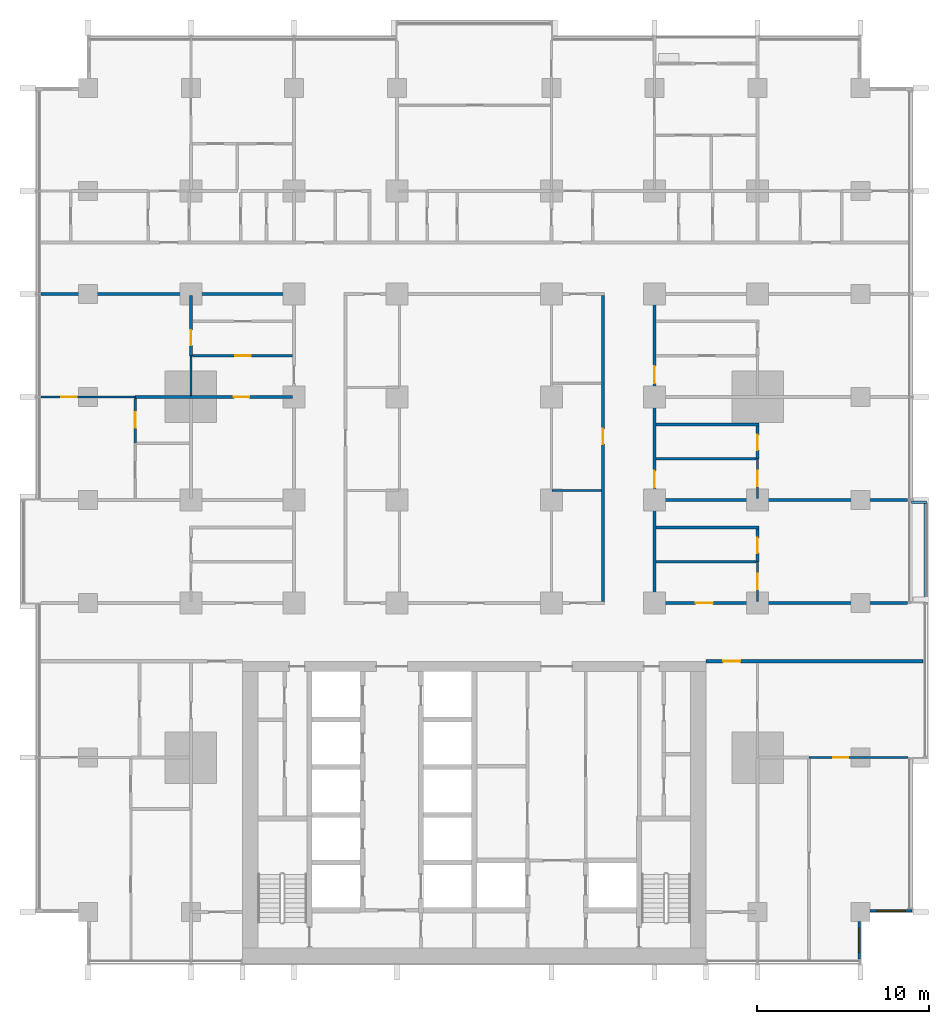
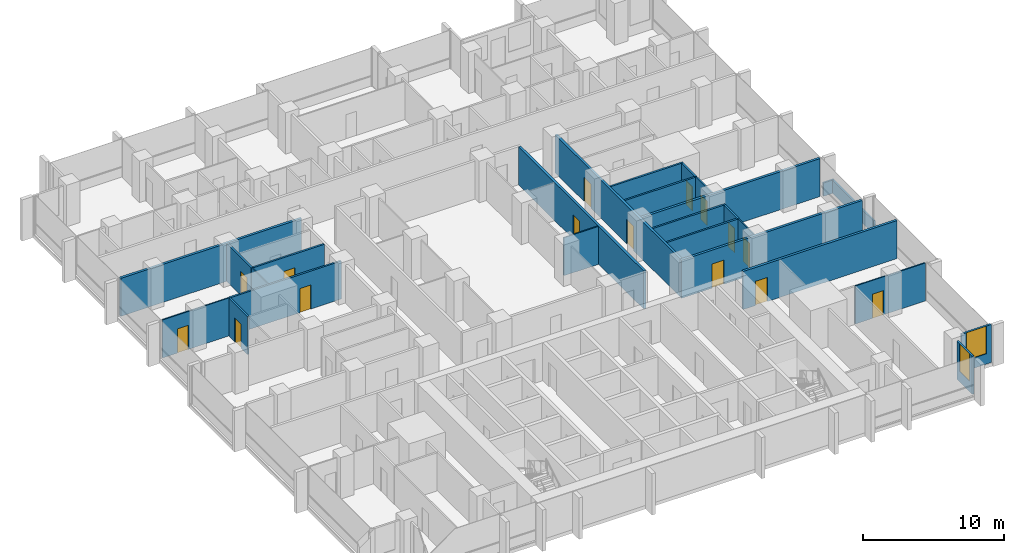
# One storey, part 10 of 18: 26 walls, 15 doors, 2 windows, 17 openings.
"""IFC4 building model written with IfcOpenShell, lengths in metres."""

from ifc_helpers import new_model, si_unit, direction, frame, frame_2d, origin, place, context, subcontext, project, spatial, rectangle, extrude, material, layer, layer_set, type_object, element, fill, save


model = new_model("IFC4")

# Units and contexts
model_context = context("Model", 3, precision=1e-05, world=origin(), true_north=direction((0.0, 1.0)))
body_context = subcontext(model_context, "Body", "Model", "MODEL_VIEW")
ifc_project = project(units=[si_unit("LENGTHUNIT", "METRE"), si_unit("AREAUNIT", "SQUARE_METRE"), si_unit("VOLUMEUNIT", "CUBIC_METRE"), si_unit("PLANEANGLEUNIT", "RADIAN"), si_unit("MASSUNIT", "GRAM", prefix="KILO")], contexts=[model_context])

# Site, building, storey
site_placement = place(None, origin())
site = spatial("IfcSite", under=ifc_project, at=site_placement, CompositionType="ELEMENT")
building_placement = place(site_placement, origin())
building = spatial("IfcBuilding", under=site, at=building_placement, Name="Finial Court Residences", CompositionType="ELEMENT")
storey_placement = place(building_placement, frame((0.0, 0.0, 46.89990234375)))
storey = spatial("IfcBuildingStorey", under=building, at=storey_placement, Name="L10", CompositionType="ELEMENT", Elevation=46.89990234375)

# Wall
ifc_material_1 = material(Name="Gypsum board")
ifc_layer_1 = layer(ifc_material_1, 0.02490234375)
ifc_material_2 = material(Name="Acoustic mineral wool in double frame")
ifc_layer_2 = layer(ifc_material_2, 0.14990234375)
ifc_layer_3 = layer(ifc_material_1, 0.02490234375)
ifc_layer_set_1 = layer_set([ifc_layer_1, ifc_layer_2, ifc_layer_3], Name="Acoustic party wall 200, 1 hour")
wall_type_1 = type_object("IfcWallType", Name="Acoustic party wall 200, 1 hour", PredefinedType="PARTITIONING", material=ifc_layer_set_1)
wall_1_placement = place(storey_placement, frame((10.60009765625, 1.5, 0.0), z_axis=(0.0, 0.0, 1.0), x_axis=(1.0, 0.0, 0.0)))
element("IfcWall", 1, at=wall_1_placement, inside=storey, type_object=wall_type_1, Name="Partition L10-017", PredefinedType="PARTITIONING", context=body_context, shape_type="SweptSolid", body=[
    extrude(rectangle(XDim=14.64990234375, YDim=0.199951171875, at=frame_2d((7.324951171875, 0.0))), origin(), (0.0, 0.0, 1.0), 3.300048828125),
])

# Wall, opening, door
ifc_layer_4 = layer(ifc_material_1, 0.02490234375)
ifc_layer_5 = layer(ifc_material_2, 0.14990234375)
ifc_layer_6 = layer(ifc_material_1, 0.02490234375)
ifc_layer_set_2 = layer_set([ifc_layer_4, ifc_layer_5, ifc_layer_6], Name="Corridor wall 200, 1 hour")
wall_type_2 = type_object("IfcWallType", Name="Corridor wall 200, 1 hour", PredefinedType="PARTITIONING", material=ifc_layer_set_2)
wall_2_placement = place(storey_placement, frame((13.5, -7.89990234375, 0.0), z_axis=(0.0, 0.0, 1.0), x_axis=(1.0, 0.0, 0.0)))
wall_2 = element("IfcWall", 2, at=wall_2_placement, inside=storey, type_object=wall_type_2, Name="Partition L10-008", PredefinedType="PARTITIONING", context=body_context, shape_type="SweptSolid", body=[
    extrude(rectangle(XDim=12.64990234375, YDim=0.199951171875, at=frame_2d((6.324951171875, 0.0))), origin(), (0.0, 0.0, 1.0), 3.300048828125),
])
opening_1_placement = place(wall_2_placement, frame((1.0, 0.0, 0.0)))
opening_1 = element("IfcOpeningElement", 3, at=opening_1_placement, cuts=wall_2, Name="Opening L10-D006", PredefinedType="OPENING", context=body_context, shape_type="SweptSolid", body=[
    extrude(rectangle(XDim=1.0, YDim=2.10009765625, at=frame_2d((0.5, 1.050048828125))), frame((0.0, 0.10986328125, 0.0), z_axis=(0.0, -1.0, 0.0), x_axis=(1.0, 0.0, 0.0)), (0.0, 0.0, 1.0), 0.219970703125),
])
ifc_material_3 = material(Name="Timber door leaf in hollow metal frame", Category="wood")
door_type_1 = type_object("IfcDoorType", Name="Fire door set 1000 x 2100, 30 minutes", OperationType="SINGLE_SWING_LEFT", PredefinedType="DOOR", material=ifc_material_3)
door_1_placement = place(opening_1_placement, origin())
door_1 = element("IfcDoor", 4, at=door_1_placement, inside=storey, type_object=door_type_1, Name="Door L10-D006", OperationType="SINGLE_SWING_LEFT", OverallHeight=2.10009765625, OverallWidth=1.0, PredefinedType="DOOR", context=body_context, shape_type="SweptSolid", body=[
    extrude(rectangle(XDim=1.0, YDim=2.10009765625, at=frame_2d((0.5, 1.050048828125))), frame((0.0, 0.02490234375, 0.0), z_axis=(0.0, -1.0, 0.0), x_axis=(1.0, 0.0, 0.0)), (0.0, 0.0, 1.0), 0.050048828125),
])
fill(opening_1, door_1)

wall_3_placement = place(storey_placement, frame((10.39990234375, -4.5, 0.0), z_axis=(0.0, 0.0, 1.0), x_axis=(1.0, 0.0, 0.0)))
wall_3 = element("IfcWall", 5, at=wall_3_placement, inside=storey, type_object=wall_type_2, Name="Partition L10-011", PredefinedType="PARTITIONING", context=body_context, shape_type="SweptSolid", body=[
    extrude(rectangle(XDim=14.85009765625, YDim=0.199951171875, at=frame_2d((7.425048828125, 0.0))), origin(), (0.0, 0.0, 1.0), 3.300048828125),
])
opening_2_placement = place(wall_3_placement, frame((2.5, 0.0, 0.0)))
opening_2 = element("IfcOpeningElement", 6, at=opening_2_placement, cuts=wall_3, Name="Opening L10-D011", PredefinedType="OPENING", context=body_context, shape_type="SweptSolid", body=[
    extrude(rectangle(XDim=1.0, YDim=2.10009765625, at=frame_2d((0.5, 1.050048828125))), frame((0.0, 0.10986328125, 0.0), z_axis=(0.0, -1.0, 0.0), x_axis=(1.0, 0.0, 0.0)), (0.0, 0.0, 1.0), 0.219970703125),
])
door_2_placement = place(opening_2_placement, origin())
door_2 = element("IfcDoor", 7, at=door_2_placement, inside=storey, type_object=door_type_1, Name="Door L10-D011", OperationType="SINGLE_SWING_RIGHT", OverallHeight=2.10009765625, OverallWidth=1.0, PredefinedType="DOOR", context=body_context, shape_type="SweptSolid", body=[
    extrude(rectangle(XDim=1.0, YDim=2.10009765625, at=frame_2d((0.5, 1.050048828125))), frame((0.0, 0.02490234375, 0.0), z_axis=(0.0, -1.0, 0.0), x_axis=(1.0, 0.0, 0.0)), (0.0, 0.0, 1.0), 0.050048828125),
])
fill(opening_2, door_2)

# Wall
wall_4_placement = place(storey_placement, frame((-25.25, 13.5, 0.0), z_axis=(0.0, 0.0, 1.0), x_axis=(1.0, 0.0, 0.0)))
element("IfcWall", 8, at=wall_4_placement, inside=storey, type_object=wall_type_2, Name="Partition L10-032", PredefinedType="PARTITIONING", context=body_context, shape_type="SweptSolid", body=[
    extrude(rectangle(XDim=14.85009765625, YDim=0.199951171875, at=frame_2d((7.425048828125, 0.0))), origin(), (0.0, 0.0, 1.0), 3.300048828125),
])

# Wall, opening, door
wall_5_placement = place(storey_placement, frame((7.5, -4.39990234375, 0.0), z_axis=(0.0, 0.0, 1.0), x_axis=(0.0, 1.0, 0.0)))
wall_5 = element("IfcWall", 9, at=wall_5_placement, inside=storey, type_object=wall_type_2, Name="Partition L10-090", PredefinedType="PARTITIONING", context=body_context, shape_type="SweptSolid", body=[
    extrude(rectangle(XDim=17.7998046875, YDim=0.199951171875, at=frame_2d((8.89990234375, 0.0))), origin(), (0.0, 0.0, 1.0), 3.300048828125),
])
opening_3_placement = place(wall_5_placement, frame((9.14990234375, 0.0, 0.0)))
opening_3 = element("IfcOpeningElement", 10, at=opening_3_placement, cuts=wall_5, Name="Opening L10-D056", PredefinedType="OPENING", context=body_context, shape_type="SweptSolid", body=[
    extrude(rectangle(XDim=0.89990234375, YDim=2.10009765625, at=frame_2d((0.449951171875, 1.050048828125))), frame((0.0, 0.10986328125, 0.0), z_axis=(0.0, -1.0, 0.0), x_axis=(1.0, 0.0, 0.0)), (0.0, 0.0, 1.0), 0.219970703125),
])
door_type_2 = type_object("IfcDoorType", Name="Fire door set 900 x 2100, 30 minutes", OperationType="SINGLE_SWING_LEFT", PredefinedType="DOOR", material=ifc_material_3)
door_3_placement = place(opening_3_placement, origin())
door_3 = element("IfcDoor", 11, at=door_3_placement, inside=storey, type_object=door_type_2, Name="Door L10-D056", OperationType="SINGLE_SWING_LEFT", OverallHeight=2.10009765625, OverallWidth=0.89990234375, PredefinedType="DOOR", context=body_context, shape_type="SweptSolid", body=[
    extrude(rectangle(XDim=0.89990234375, YDim=2.10009765625, at=frame_2d((0.449951171875, 1.050048828125))), frame((0.0, 0.02490234375, 0.0), z_axis=(0.0, -1.0, 0.0), x_axis=(1.0, 0.0, 0.0)), (0.0, 0.0, 1.0), 0.050048828125),
])
fill(opening_3, door_3)

# Wall, openings, doors
wall_6_placement = place(storey_placement, frame((10.5, -4.39990234375, 0.0), z_axis=(0.0, 0.0, 1.0), x_axis=(0.0, 1.0, 0.0)))
wall_6 = element("IfcWall", 12, at=wall_6_placement, inside=storey, type_object=wall_type_2, Name="Partition L10-091", PredefinedType="PARTITIONING", context=body_context, shape_type="SweptSolid", body=[
    extrude(rectangle(XDim=17.7998046875, YDim=0.199951171875, at=frame_2d((8.89990234375, 0.0))), origin(), (0.0, 0.0, 1.0), 3.300048828125),
])
opening_4_placement = place(wall_6_placement, frame((6.60009765625, 0.0, 0.0)))
opening_4 = element("IfcOpeningElement", 13, at=opening_4_placement, cuts=wall_6, Name="Opening L10-D057", PredefinedType="OPENING", context=body_context, shape_type="SweptSolid", body=[
    extrude(rectangle(XDim=1.0, YDim=2.10009765625, at=frame_2d((0.5, 1.050048828125))), frame((0.0, 0.10986328125, 0.0), z_axis=(0.0, -1.0, 0.0), x_axis=(1.0, 0.0, 0.0)), (0.0, 0.0, 1.0), 0.219970703125),
])
opening_5_placement = place(wall_6_placement, frame((12.699951171875, 0.0, 0.0)))
opening_5 = element("IfcOpeningElement", 14, at=opening_5_placement, cuts=wall_6, Name="Opening L10-D058", PredefinedType="OPENING", context=body_context, shape_type="SweptSolid", body=[
    extrude(rectangle(XDim=1.0, YDim=2.10009765625, at=frame_2d((0.5, 1.050048828125))), frame((0.0, 0.10986328125, 0.0), z_axis=(0.0, -1.0, 0.0), x_axis=(1.0, 0.0, 0.0)), (0.0, 0.0, 1.0), 0.219970703125),
])
door_4_placement = place(opening_4_placement, origin())
door_4 = element("IfcDoor", 15, at=door_4_placement, inside=storey, type_object=door_type_1, Name="Door L10-D057", OperationType="SINGLE_SWING_LEFT", OverallHeight=2.10009765625, OverallWidth=1.0, PredefinedType="DOOR", context=body_context, shape_type="SweptSolid", body=[
    extrude(rectangle(XDim=1.0, YDim=2.10009765625, at=frame_2d((0.5, 1.050048828125))), frame((0.0, 0.02490234375, 0.0), z_axis=(0.0, -1.0, 0.0), x_axis=(1.0, 0.0, 0.0)), (0.0, 0.0, 1.0), 0.050048828125),
])
fill(opening_4, door_4)
door_5_placement = place(opening_5_placement, origin())
door_5 = element("IfcDoor", 16, at=door_5_placement, inside=storey, type_object=door_type_1, Name="Door L10-D058", OperationType="SINGLE_SWING_RIGHT", OverallHeight=2.10009765625, OverallWidth=1.0, PredefinedType="DOOR", context=body_context, shape_type="SweptSolid", body=[
    extrude(rectangle(XDim=1.0, YDim=2.10009765625, at=frame_2d((0.5, 1.050048828125))), frame((0.0, 0.02490234375, 0.0), z_axis=(0.0, -1.0, 0.0), x_axis=(1.0, 0.0, 0.0)), (0.0, 0.0, 1.0), 0.050048828125),
])
fill(opening_5, door_5)

# Wall, opening, door
ifc_layer_7 = layer(ifc_material_1, 0.012451171875)
ifc_material_4 = material(Name="Mineral wool in light-gauge frame")
ifc_layer_8 = layer(ifc_material_4, 0.074951171875)
ifc_layer_9 = layer(ifc_material_1, 0.012451171875)
ifc_layer_set_3 = layer_set([ifc_layer_7, ifc_layer_8, ifc_layer_9], Name="Gypsum board partition 100")
wall_type_3 = type_object("IfcWallType", Name="Gypsum board partition 100", PredefinedType="PARTITIONING", material=ifc_layer_set_3)
wall_7_placement = place(storey_placement, frame((19.5, -13.5, 0.0), z_axis=(0.0, 0.0, 1.0), x_axis=(1.0, 0.0, 0.0)))
wall_7 = element("IfcWall", 17, at=wall_7_placement, inside=storey, type_object=wall_type_3, Name="Partition L10-004", PredefinedType="PARTITIONING", context=body_context, shape_type="SweptSolid", body=[
    extrude(rectangle(XDim=5.75, YDim=0.10009765625, at=frame_2d((2.875, 0.0))), origin(), (0.0, 0.0, 1.0), 3.300048828125),
])
opening_6_placement = place(wall_7_placement, frame((1.39990234375, 0.0, 0.0)))
opening_6 = element("IfcOpeningElement", 18, at=opening_6_placement, cuts=wall_7, Name="Opening L10-D004", PredefinedType="OPENING", context=body_context, shape_type="SweptSolid", body=[
    extrude(rectangle(XDim=0.89990234375, YDim=2.10009765625, at=frame_2d((0.449951171875, 1.050048828125))), frame((0.0, 0.06005859375, 0.0), z_axis=(0.0, -1.0, 0.0), x_axis=(1.0, 0.0, 0.0)), (0.0, 0.0, 1.0), 0.1201171875),
])
ifc_material_5 = material(Name="Timber door leaf in timber frame", Category="wood")
door_type_3 = type_object("IfcDoorType", Name="Door set 900 x 2100", OperationType="SINGLE_SWING_LEFT", PredefinedType="DOOR", material=ifc_material_5)
door_6_placement = place(opening_6_placement, origin())
door_6 = element("IfcDoor", 19, at=door_6_placement, inside=storey, type_object=door_type_3, Name="Door L10-D004", OperationType="SINGLE_SWING_LEFT", OverallHeight=2.10009765625, OverallWidth=0.89990234375, PredefinedType="DOOR", context=body_context, shape_type="SweptSolid", body=[
    extrude(rectangle(XDim=0.89990234375, YDim=2.10009765625, at=frame_2d((0.449951171875, 1.050048828125))), frame((0.0, 0.02490234375, 0.0), z_axis=(0.0, -1.0, 0.0), x_axis=(1.0, 0.0, 0.0)), (0.0, 0.0, 1.0), 0.050048828125),
])
fill(opening_6, door_6)

# Wall
wall_8_placement = place(storey_placement, frame((4.550048828125, 2.050048828125, 0.0), z_axis=(0.0, 0.0, 1.0), x_axis=(1.0, 0.0, 0.0)))
element("IfcWall", 20, at=wall_8_placement, inside=storey, type_object=wall_type_3, Name="Partition L10-019", PredefinedType="PARTITIONING", context=body_context, shape_type="SweptSolid", body=[
    extrude(rectangle(XDim=2.849853515625, YDim=0.10009765625, at=frame_2d((1.4248046875, 0.0))), origin(), (0.0, 0.0, 1.0), 3.300048828125),
])

# Wall, opening, door
wall_9_placement = place(storey_placement, frame((-25.25, 7.5, 0.0), z_axis=(0.0, 0.0, 1.0), x_axis=(1.0, 0.0, 0.0)))
wall_9 = element("IfcWall", 21, at=wall_9_placement, inside=storey, type_object=wall_type_3, Name="Partition L10-023", PredefinedType="PARTITIONING", context=body_context, shape_type="SweptSolid", body=[
    extrude(rectangle(XDim=5.5, YDim=0.10009765625, at=frame_2d((2.75, 0.0))), origin(), (0.0, 0.0, 1.0), 3.300048828125),
])
opening_7_placement = place(wall_9_placement, frame((1.199951171875, 0.0, 0.0)))
opening_7 = element("IfcOpeningElement", 22, at=opening_7_placement, cuts=wall_9, Name="Opening L10-D012", PredefinedType="OPENING", context=body_context, shape_type="SweptSolid", body=[
    extrude(rectangle(XDim=0.89990234375, YDim=2.10009765625, at=frame_2d((0.449951171875, 1.050048828125))), frame((0.0, 0.06005859375, 0.0), z_axis=(0.0, -1.0, 0.0), x_axis=(1.0, 0.0, 0.0)), (0.0, 0.0, 1.0), 0.1201171875),
])
door_7_placement = place(opening_7_placement, origin())
door_7 = element("IfcDoor", 23, at=door_7_placement, inside=storey, type_object=door_type_3, Name="Door L10-D012", OperationType="SINGLE_SWING_LEFT", OverallHeight=2.10009765625, OverallWidth=0.89990234375, PredefinedType="DOOR", context=body_context, shape_type="SweptSolid", body=[
    extrude(rectangle(XDim=0.89990234375, YDim=2.10009765625, at=frame_2d((0.449951171875, 1.050048828125))), frame((0.0, 0.02490234375, 0.0), z_axis=(0.0, -1.0, 0.0), x_axis=(1.0, 0.0, 0.0)), (0.0, 0.0, 1.0), 0.050048828125),
])
fill(opening_7, door_7)

# Wall
wall_10_placement = place(storey_placement, frame((-16.5, 7.574951171875, 0.0), z_axis=(0.0, 0.0, 1.0), x_axis=(0.0, 1.0, 0.0)))
element("IfcWall", 24, at=wall_10_placement, inside=storey, type_object=wall_type_3, Name="Partition L10-065", PredefinedType="PARTITIONING", context=body_context, shape_type="SweptSolid", body=[
    extrude(rectangle(XDim=2.324951171875, YDim=0.10009765625, at=frame_2d((1.16259765625, 0.0))), origin(), (0.0, 0.0, 1.0), 3.300048828125),
])

# Wall, opening, door
wall_11_placement = place(storey_placement, frame((16.5, -4.39990234375, 0.0), z_axis=(0.0, 0.0, 1.0), x_axis=(0.0, 1.0, 0.0)))
wall_11 = element("IfcWall", 25, at=wall_11_placement, inside=storey, type_object=wall_type_3, Name="Partition L10-097", PredefinedType="PARTITIONING", context=body_context, shape_type="SweptSolid", body=[
    extrude(rectangle(XDim=2.2998046875, YDim=0.10009765625, at=frame_2d((1.14990234375, 0.0))), origin(), (0.0, 0.0, 1.0), 3.300048828125),
])
opening_8_placement = place(wall_11_placement, frame((0.699951171875, 0.0, 0.0)))
opening_8 = element("IfcOpeningElement", 26, at=opening_8_placement, cuts=wall_11, Name="Opening L10-D063", PredefinedType="OPENING", context=body_context, shape_type="SweptSolid", body=[
    extrude(rectangle(XDim=0.89990234375, YDim=2.10009765625, at=frame_2d((0.449951171875, 1.050048828125))), frame((0.0, 0.06005859375, 0.0), z_axis=(0.0, -1.0, 0.0), x_axis=(1.0, 0.0, 0.0)), (0.0, 0.0, 1.0), 0.1201171875),
])
door_8_placement = place(opening_8_placement, origin())
door_8 = element("IfcDoor", 27, at=door_8_placement, inside=storey, type_object=door_type_3, Name="Door L10-D063", OperationType="SINGLE_SWING_LEFT", OverallHeight=2.10009765625, OverallWidth=0.89990234375, PredefinedType="DOOR", context=body_context, shape_type="SweptSolid", body=[
    extrude(rectangle(XDim=0.89990234375, YDim=2.10009765625, at=frame_2d((0.449951171875, 1.050048828125))), frame((0.0, 0.02490234375, 0.0), z_axis=(0.0, -1.0, 0.0), x_axis=(1.0, 0.0, 0.0)), (0.0, 0.0, 1.0), 0.050048828125),
])
fill(opening_8, door_8)

wall_12_placement = place(storey_placement, frame((16.5, 1.60009765625, 0.0), z_axis=(0.0, 0.0, 1.0), x_axis=(0.0, 1.0, 0.0)))
wall_12 = element("IfcWall", 28, at=wall_12_placement, inside=storey, type_object=wall_type_3, Name="Partition L10-098", PredefinedType="PARTITIONING", context=body_context, shape_type="SweptSolid", body=[
    extrude(rectangle(XDim=2.2998046875, YDim=0.10009765625, at=frame_2d((1.14990234375, 0.0))), origin(), (0.0, 0.0, 1.0), 3.300048828125),
])
opening_9_placement = place(wall_12_placement, frame((0.699951171875, 0.0, 0.0)))
opening_9 = element("IfcOpeningElement", 29, at=opening_9_placement, cuts=wall_12, Name="Opening L10-D064", PredefinedType="OPENING", context=body_context, shape_type="SweptSolid", body=[
    extrude(rectangle(XDim=0.89990234375, YDim=2.10009765625, at=frame_2d((0.449951171875, 1.050048828125))), frame((0.0, 0.06005859375, 0.0), z_axis=(0.0, -1.0, 0.0), x_axis=(1.0, 0.0, 0.0)), (0.0, 0.0, 1.0), 0.1201171875),
])
door_9_placement = place(opening_9_placement, origin())
door_9 = element("IfcDoor", 30, at=door_9_placement, inside=storey, type_object=door_type_3, Name="Door L10-D064", OperationType="SINGLE_SWING_LEFT", OverallHeight=2.10009765625, OverallWidth=0.89990234375, PredefinedType="DOOR", context=body_context, shape_type="SweptSolid", body=[
    extrude(rectangle(XDim=0.89990234375, YDim=2.10009765625, at=frame_2d((0.449951171875, 1.050048828125))), frame((0.0, 0.02490234375, 0.0), z_axis=(0.0, -1.0, 0.0), x_axis=(1.0, 0.0, 0.0)), (0.0, 0.0, 1.0), 0.050048828125),
])
fill(opening_9, door_9)

# Walls
ifc_material_6 = material(Name="Moisture-resistant gypsum board")
ifc_layer_10 = layer(ifc_material_6, 0.012451171875)
ifc_layer_11 = layer(ifc_material_4, 0.125)
ifc_layer_12 = layer(ifc_material_6, 0.012451171875)
ifc_layer_set_4 = layer_set([ifc_layer_10, ifc_layer_11, ifc_layer_12], Name="Gypsum board wet-area partition 150")
wall_type_4 = type_object("IfcWallType", Name="Gypsum board wet-area partition 150", PredefinedType="PARTITIONING", material=ifc_layer_set_4)
wall_13_placement = place(storey_placement, frame((10.60009765625, -2.10009765625, 0.0), z_axis=(0.0, 0.0, 1.0), x_axis=(1.0, 0.0, 0.0)))
element("IfcWall", 31, at=wall_13_placement, inside=storey, type_object=wall_type_4, Name="Partition L10-013", PredefinedType="PARTITIONING", context=body_context, shape_type="SweptSolid", body=[
    extrude(rectangle(XDim=5.824951171875, YDim=0.14990234375, at=frame_2d((2.91259765625, 0.0))), origin(), (0.0, 0.0, 1.0), 3.300048828125),
])
wall_14_placement = place(storey_placement, frame((10.60009765625, -0.10009765625, 0.0), z_axis=(0.0, 0.0, 1.0), x_axis=(1.0, 0.0, 0.0)))
element("IfcWall", 32, at=wall_14_placement, inside=storey, type_object=wall_type_4, Name="Partition L10-015", PredefinedType="PARTITIONING", context=body_context, shape_type="SweptSolid", body=[
    extrude(rectangle(XDim=5.974853515625, YDim=0.14990234375, at=frame_2d((2.9873046875, 0.0))), origin(), (0.0, 0.0, 1.0), 3.300048828125),
])
wall_15_placement = place(storey_placement, frame((10.60009765625, 3.89990234375, 0.0), z_axis=(0.0, 0.0, 1.0), x_axis=(1.0, 0.0, 0.0)))
element("IfcWall", 33, at=wall_15_placement, inside=storey, type_object=wall_type_4, Name="Partition L10-020", PredefinedType="PARTITIONING", context=body_context, shape_type="SweptSolid", body=[
    extrude(rectangle(XDim=5.824951171875, YDim=0.14990234375, at=frame_2d((2.91259765625, 0.0))), origin(), (0.0, 0.0, 1.0), 3.300048828125),
])
wall_16_placement = place(storey_placement, frame((10.60009765625, 5.89990234375, 0.0), z_axis=(0.0, 0.0, 1.0), x_axis=(1.0, 0.0, 0.0)))
element("IfcWall", 34, at=wall_16_placement, inside=storey, type_object=wall_type_4, Name="Partition L10-022", PredefinedType="PARTITIONING", context=body_context, shape_type="SweptSolid", body=[
    extrude(rectangle(XDim=5.974853515625, YDim=0.14990234375, at=frame_2d((2.9873046875, 0.0))), origin(), (0.0, 0.0, 1.0), 3.300048828125),
])

# Wall, opening, door
wall_17_placement = place(storey_placement, frame((-19.75, 7.5, 0.0), z_axis=(0.0, 0.0, 1.0), x_axis=(1.0, 0.0, 0.0)))
wall_17 = element("IfcWall", 35, at=wall_17_placement, inside=storey, type_object=wall_type_4, Name="Partition L10-025", PredefinedType="PARTITIONING", context=body_context, shape_type="SweptSolid", body=[
    extrude(rectangle(XDim=9.14990234375, YDim=0.14990234375, at=frame_2d((4.574951171875, 0.0))), origin(), (0.0, 0.0, 1.0), 3.300048828125),
])
opening_10_placement = place(wall_17_placement, frame((5.75, 0.0, 0.0)))
opening_10 = element("IfcOpeningElement", 36, at=opening_10_placement, cuts=wall_17, Name="Opening L10-D013", PredefinedType="OPENING", context=body_context, shape_type="SweptSolid", body=[
    extrude(rectangle(XDim=0.89990234375, YDim=2.10009765625, at=frame_2d((0.449951171875, 1.050048828125))), frame((0.0, 0.0849609375, 0.0), z_axis=(0.0, -1.0, 0.0), x_axis=(1.0, 0.0, 0.0)), (0.0, 0.0, 1.0), 0.169921875),
])
door_10_placement = place(opening_10_placement, origin())
door_10 = element("IfcDoor", 37, at=door_10_placement, inside=storey, type_object=door_type_3, Name="Door L10-D013", OperationType="SINGLE_SWING_RIGHT", OverallHeight=2.10009765625, OverallWidth=0.89990234375, PredefinedType="DOOR", context=body_context, shape_type="SweptSolid", body=[
    extrude(rectangle(XDim=0.89990234375, YDim=2.10009765625, at=frame_2d((0.449951171875, 1.050048828125))), frame((0.0, 0.02490234375, 0.0), z_axis=(0.0, -1.0, 0.0), x_axis=(1.0, 0.0, 0.0)), (0.0, 0.0, 1.0), 0.050048828125),
])
fill(opening_10, door_10)

wall_18_placement = place(storey_placement, frame((-16.425048828125, 9.89990234375, 0.0), z_axis=(0.0, 0.0, 1.0), x_axis=(1.0, 0.0, 0.0)))
wall_18 = element("IfcWall", 38, at=wall_18_placement, inside=storey, type_object=wall_type_4, Name="Partition L10-028", PredefinedType="PARTITIONING", context=body_context, shape_type="SweptSolid", body=[
    extrude(rectangle(XDim=5.824951171875, YDim=0.14990234375, at=frame_2d((2.91259765625, 0.0))), origin(), (0.0, 0.0, 1.0), 3.300048828125),
])
opening_11_placement = place(wall_18_placement, frame((2.5, 0.0, 0.0)))
opening_11 = element("IfcOpeningElement", 39, at=opening_11_placement, cuts=wall_18, Name="Opening L10-D014", PredefinedType="OPENING", context=body_context, shape_type="SweptSolid", body=[
    extrude(rectangle(XDim=0.89990234375, YDim=2.10009765625, at=frame_2d((0.449951171875, 1.050048828125))), frame((0.0, 0.0849609375, 0.0), z_axis=(0.0, -1.0, 0.0), x_axis=(1.0, 0.0, 0.0)), (0.0, 0.0, 1.0), 0.169921875),
])
door_11_placement = place(opening_11_placement, origin())
door_11 = element("IfcDoor", 40, at=door_11_placement, inside=storey, type_object=door_type_3, Name="Door L10-D014", OperationType="SINGLE_SWING_LEFT", OverallHeight=2.10009765625, OverallWidth=0.89990234375, PredefinedType="DOOR", context=body_context, shape_type="SweptSolid", body=[
    extrude(rectangle(XDim=0.89990234375, YDim=2.10009765625, at=frame_2d((0.449951171875, 1.050048828125))), frame((0.0, 0.02490234375, 0.0), z_axis=(0.0, -1.0, 0.0), x_axis=(1.0, 0.0, 0.0)), (0.0, 0.0, 1.0), 0.050048828125),
])
fill(opening_11, door_11)

wall_19_placement = place(storey_placement, frame((-19.75, 4.800048828125, 0.0), z_axis=(0.0, 0.0, 1.0), x_axis=(0.0, 1.0, 0.0)))
wall_19 = element("IfcWall", 41, at=wall_19_placement, inside=storey, type_object=wall_type_4, Name="Partition L10-059", PredefinedType="PARTITIONING", context=body_context, shape_type="SweptSolid", body=[
    extrude(rectangle(XDim=2.625, YDim=0.14990234375, at=frame_2d((1.3125, 0.0))), origin(), (0.0, 0.0, 1.0), 3.300048828125),
])
opening_12_placement = place(wall_19_placement, frame((0.89990234375, 0.0, 0.0)))
opening_12 = element("IfcOpeningElement", 42, at=opening_12_placement, cuts=wall_19, Name="Opening L10-D038", PredefinedType="OPENING", context=body_context, shape_type="SweptSolid", body=[
    extrude(rectangle(XDim=0.89990234375, YDim=2.10009765625, at=frame_2d((0.449951171875, 1.050048828125))), frame((0.0, 0.0849609375, 0.0), z_axis=(0.0, -1.0, 0.0), x_axis=(1.0, 0.0, 0.0)), (0.0, 0.0, 1.0), 0.169921875),
])
door_12_placement = place(opening_12_placement, origin())
door_12 = element("IfcDoor", 43, at=door_12_placement, inside=storey, type_object=door_type_3, Name="Door L10-D038", OperationType="SINGLE_SWING_LEFT", OverallHeight=2.10009765625, OverallWidth=0.89990234375, PredefinedType="DOOR", context=body_context, shape_type="SweptSolid", body=[
    extrude(rectangle(XDim=0.89990234375, YDim=2.10009765625, at=frame_2d((0.449951171875, 1.050048828125))), frame((0.0, 0.02490234375, 0.0), z_axis=(0.0, -1.0, 0.0), x_axis=(1.0, 0.0, 0.0)), (0.0, 0.0, 1.0), 0.050048828125),
])
fill(opening_12, door_12)

wall_20_placement = place(storey_placement, frame((-16.5, 9.89990234375, 0.0), z_axis=(0.0, 0.0, 1.0), x_axis=(0.0, 1.0, 0.0)))
wall_20 = element("IfcWall", 44, at=wall_20_placement, inside=storey, type_object=wall_type_4, Name="Partition L10-071", PredefinedType="PARTITIONING", context=body_context, shape_type="SweptSolid", body=[
    extrude(rectangle(XDim=3.5, YDim=0.14990234375, at=frame_2d((1.75, 0.0))), origin(), (0.0, 0.0, 1.0), 3.300048828125),
])
opening_13_placement = place(wall_20_placement, frame((0.60009765625, 0.0, 0.0)))
opening_13 = element("IfcOpeningElement", 45, at=opening_13_placement, cuts=wall_20, Name="Opening L10-D046", PredefinedType="OPENING", context=body_context, shape_type="SweptSolid", body=[
    extrude(rectangle(XDim=0.89990234375, YDim=2.10009765625, at=frame_2d((0.449951171875, 1.050048828125))), frame((0.0, 0.0849609375, 0.0), z_axis=(0.0, -1.0, 0.0), x_axis=(1.0, 0.0, 0.0)), (0.0, 0.0, 1.0), 0.169921875),
])
door_13_placement = place(opening_13_placement, origin())
door_13 = element("IfcDoor", 46, at=door_13_placement, inside=storey, type_object=door_type_3, Name="Door L10-D046", OperationType="SINGLE_SWING_RIGHT", OverallHeight=2.10009765625, OverallWidth=0.89990234375, PredefinedType="DOOR", context=body_context, shape_type="SweptSolid", body=[
    extrude(rectangle(XDim=0.89990234375, YDim=2.10009765625, at=frame_2d((0.449951171875, 1.050048828125))), frame((0.0, 0.02490234375, 0.0), z_axis=(0.0, -1.0, 0.0), x_axis=(1.0, 0.0, 0.0)), (0.0, 0.0, 1.0), 0.050048828125),
])
fill(opening_13, door_13)

wall_21_placement = place(storey_placement, frame((16.5, -2.10009765625, 0.0), z_axis=(0.0, 0.0, 1.0), x_axis=(0.0, 1.0, 0.0)))
wall_21 = element("IfcWall", 47, at=wall_21_placement, inside=storey, type_object=wall_type_4, Name="Partition L10-103", PredefinedType="PARTITIONING", context=body_context, shape_type="SweptSolid", body=[
    extrude(rectangle(XDim=1.925048828125, YDim=0.14990234375, at=frame_2d((0.96240234375, 0.0))), origin(), (0.0, 0.0, 1.0), 3.300048828125),
])
opening_14_placement = place(wall_21_placement, frame((0.5, 0.0, 0.0)))
opening_14 = element("IfcOpeningElement", 48, at=opening_14_placement, cuts=wall_21, Name="Opening L10-D065", PredefinedType="OPENING", context=body_context, shape_type="SweptSolid", body=[
    extrude(rectangle(XDim=0.89990234375, YDim=2.10009765625, at=frame_2d((0.449951171875, 1.050048828125))), frame((0.0, 0.0849609375, 0.0), z_axis=(0.0, -1.0, 0.0), x_axis=(1.0, 0.0, 0.0)), (0.0, 0.0, 1.0), 0.169921875),
])
door_14_placement = place(opening_14_placement, origin())
door_14 = element("IfcDoor", 49, at=door_14_placement, inside=storey, type_object=door_type_3, Name="Door L10-D065", OperationType="SINGLE_SWING_RIGHT", OverallHeight=2.10009765625, OverallWidth=0.89990234375, PredefinedType="DOOR", context=body_context, shape_type="SweptSolid", body=[
    extrude(rectangle(XDim=0.89990234375, YDim=2.10009765625, at=frame_2d((0.449951171875, 1.050048828125))), frame((0.0, 0.02490234375, 0.0), z_axis=(0.0, -1.0, 0.0), x_axis=(1.0, 0.0, 0.0)), (0.0, 0.0, 1.0), 0.050048828125),
])
fill(opening_14, door_14)

wall_22_placement = place(storey_placement, frame((16.5, 3.89990234375, 0.0), z_axis=(0.0, 0.0, 1.0), x_axis=(0.0, 1.0, 0.0)))
wall_22 = element("IfcWall", 50, at=wall_22_placement, inside=storey, type_object=wall_type_4, Name="Partition L10-104", PredefinedType="PARTITIONING", context=body_context, shape_type="SweptSolid", body=[
    extrude(rectangle(XDim=1.925048828125, YDim=0.14990234375, at=frame_2d((0.96240234375, 0.0))), origin(), (0.0, 0.0, 1.0), 3.300048828125),
])
opening_15_placement = place(wall_22_placement, frame((0.5, 0.0, 0.0)))
opening_15 = element("IfcOpeningElement", 51, at=opening_15_placement, cuts=wall_22, Name="Opening L10-D066", PredefinedType="OPENING", context=body_context, shape_type="SweptSolid", body=[
    extrude(rectangle(XDim=0.89990234375, YDim=2.10009765625, at=frame_2d((0.449951171875, 1.050048828125))), frame((0.0, 0.0849609375, 0.0), z_axis=(0.0, -1.0, 0.0), x_axis=(1.0, 0.0, 0.0)), (0.0, 0.0, 1.0), 0.169921875),
])
door_15_placement = place(opening_15_placement, origin())
door_15 = element("IfcDoor", 52, at=door_15_placement, inside=storey, type_object=door_type_3, Name="Door L10-D066", OperationType="SINGLE_SWING_RIGHT", OverallHeight=2.10009765625, OverallWidth=0.89990234375, PredefinedType="DOOR", context=body_context, shape_type="SweptSolid", body=[
    extrude(rectangle(XDim=0.89990234375, YDim=2.10009765625, at=frame_2d((0.449951171875, 1.050048828125))), frame((0.0, 0.02490234375, 0.0), z_axis=(0.0, -1.0, 0.0), x_axis=(1.0, 0.0, 0.0)), (0.0, 0.0, 1.0), 0.050048828125),
])
fill(opening_15, door_15)

# Walls
ifc_material_7 = material(Name="Concrete C35/45", Category="concrete")
ifc_layer_13 = layer(ifc_material_7, 0.14990234375)
ifc_layer_set_5 = layer_set([ifc_layer_13], Name="Ledge parapet, Concrete C35/45 150")
wall_type_5 = type_object("IfcWallType", Name="Ledge parapet, Concrete C35/45 150", PredefinedType="PARAPET", material=ifc_layer_set_5)
wall_23_placement = place(storey_placement, frame((25.4599609375, 1.375, 0.0), z_axis=(0.0, 0.0, 1.0), x_axis=(1.0, 0.0, 0.0)))
element("IfcWall", 53, at=wall_23_placement, inside=storey, type_object=wall_type_5, Name="E-L10-LED1-P1", PredefinedType="PARAPET", context=body_context, shape_type="SweptSolid", body=[
    extrude(rectangle(XDim=0.89013671875, YDim=0.14990234375, at=frame_2d((0.445068359375, 0.0))), origin(), (0.0, 0.0, 1.0), 1.150146484375),
])
wall_24_placement = place(storey_placement, frame((26.27490234375, 1.300048828125, 0.0), z_axis=(0.0, 0.0, 1.0), x_axis=(0.0, -1.0, 0.0)))
element("IfcWall", 54, at=wall_24_placement, inside=storey, type_object=wall_type_5, Name="E-L10-LED1-P2", PredefinedType="PARAPET", context=body_context, shape_type="SweptSolid", body=[
    extrude(rectangle(XDim=5.840087890625, YDim=0.14990234375, at=frame_2d((2.919921875, 0.0))), origin(), (0.0, 0.0, 1.0), 1.150146484375),
])

# Wall, opening, window
ifc_material_8 = material(Name="Natural limestone", Category="masonry")
ifc_layer_14 = layer(ifc_material_8, 0.14990234375)
ifc_layer_set_6 = layer_set([ifc_layer_14], Name="Limestone clad wall 150")
wall_type_6 = type_object("IfcWallType", Name="Limestone clad wall 150", PredefinedType="SOLIDWALL", material=ifc_layer_set_6)
wall_25_placement = place(storey_placement, frame((22.425048828125, -23.050048828125, 0.0), z_axis=(0.0, 0.0, 1.0), x_axis=(0.0, -1.0, 0.0)))
wall_25 = element("IfcWall", 55, at=wall_25_placement, inside=storey, type_object=wall_type_6, Name="E-L10-NWE15", PredefinedType="SOLIDWALL", context=body_context, shape_type="SweptSolid", body=[
    extrude(rectangle(XDim=2.199951171875, YDim=0.14990234375, at=frame_2d((1.10009765625, 0.0))), origin(), (0.0, 0.0, 1.0), 3.300048828125),
])
opening_16_placement = place(wall_25_placement, frame((0.39990234375, 0.0, 0.89990234375)))
opening_16 = element("IfcOpeningElement", 56, at=opening_16_placement, cuts=wall_25, Name="Opening WE10-03", PredefinedType="OPENING", context=body_context, shape_type="SweptSolid", body=[
    extrude(rectangle(XDim=1.39990234375, YDim=2.39990234375, at=frame_2d((0.699951171875, 1.199951171875))), frame((0.0, 0.0849609375, 0.0), z_axis=(0.0, -1.0, 0.0), x_axis=(1.0, 0.0, 0.0)), (0.0, 0.0, 1.0), 0.169921875),
])
ifc_material_9 = material(Name="Clear low-e glass", Category="glass")
window_type_1 = type_object("IfcWindowType", Name="Corner window 1400 x 2400", PartitioningType="SINGLE_PANEL", PredefinedType="WINDOW", material=ifc_material_9)
window_1_placement = place(opening_16_placement, origin())
window_1 = element("IfcWindow", 57, at=window_1_placement, inside=storey, type_object=window_type_1, Name="E-L10-NWE15-W1", OverallHeight=2.39990234375, OverallWidth=1.39990234375, PartitioningType="SINGLE_PANEL", PredefinedType="WINDOW", context=body_context, shape_type="SweptSolid", body=[
    extrude(rectangle(XDim=1.39990234375, YDim=2.39990234375, at=frame_2d((0.699951171875, 1.199951171875))), frame((0.0, 0.030029296875, 0.0), z_axis=(0.0, -1.0, 0.0), x_axis=(1.0, 0.0, 0.0)), (0.0, 0.0, 1.0), 0.06005859375),
])
fill(opening_16, window_1)

wall_26_placement = place(storey_placement, frame((25.5, -22.425048828125, 0.0), z_axis=(0.0, 0.0, 1.0), x_axis=(-1.0, 0.0, 0.0)))
wall_26 = element("IfcWall", 58, at=wall_26_placement, inside=storey, type_object=wall_type_6, Name="E-L10-NWS16", PredefinedType="SOLIDWALL", context=body_context, shape_type="SweptSolid", body=[
    extrude(rectangle(XDim=2.449951171875, YDim=0.14990234375, at=frame_2d((1.22509765625, 0.0))), origin(), (0.0, 0.0, 1.0), 3.300048828125),
])
opening_17_placement = place(wall_26_placement, frame((0.39990234375, 0.0, 0.89990234375)))
opening_17 = element("IfcOpeningElement", 59, at=opening_17_placement, cuts=wall_26, Name="Opening WE10-04", PredefinedType="OPENING", context=body_context, shape_type="SweptSolid", body=[
    extrude(rectangle(XDim=1.64990234375, YDim=2.39990234375, at=frame_2d((0.824951171875, 1.199951171875))), frame((0.0, 0.0849609375, 0.0), z_axis=(0.0, -1.0, 0.0), x_axis=(1.0, 0.0, 0.0)), (0.0, 0.0, 1.0), 0.169921875),
])
window_type_2 = type_object("IfcWindowType", Name="Corner window 1650 x 2400", PartitioningType="SINGLE_PANEL", PredefinedType="WINDOW", material=ifc_material_9)
window_2_placement = place(opening_17_placement, origin())
window_2 = element("IfcWindow", 60, at=window_2_placement, inside=storey, type_object=window_type_2, Name="E-L10-NWS16-W1", OverallHeight=2.39990234375, OverallWidth=1.64990234375, PartitioningType="SINGLE_PANEL", PredefinedType="WINDOW", context=body_context, shape_type="SweptSolid", body=[
    extrude(rectangle(XDim=1.64990234375, YDim=2.39990234375, at=frame_2d((0.824951171875, 1.199951171875))), frame((0.0, 0.030029296875, 0.0), z_axis=(0.0, -1.0, 0.0), x_axis=(1.0, 0.0, 0.0)), (0.0, 0.0, 1.0), 0.06005859375),
])
fill(opening_17, window_2)

save(model, "model.ifc")
